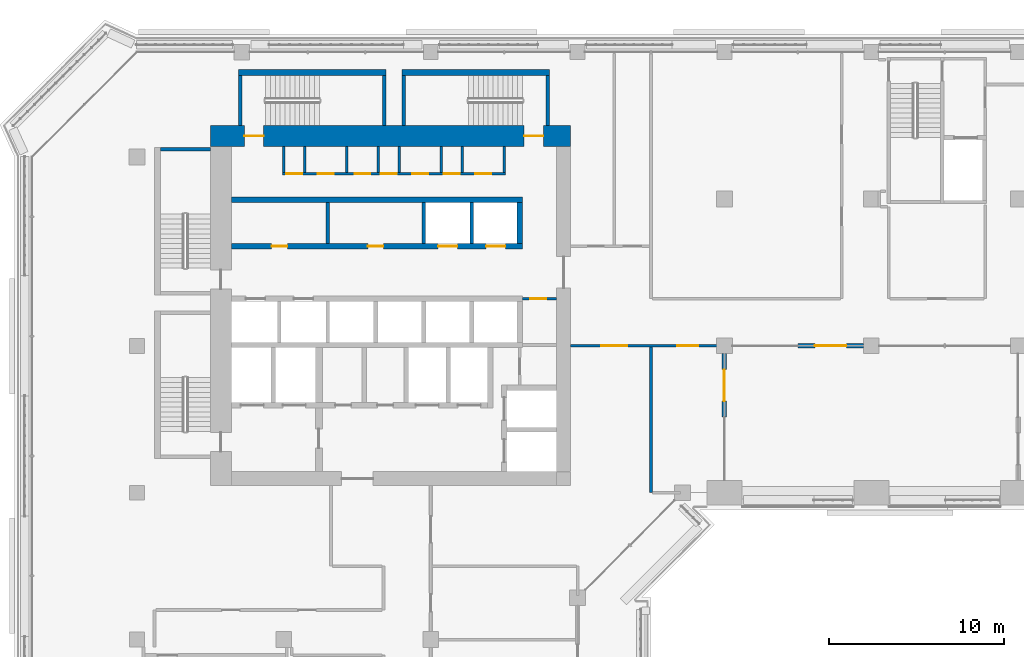
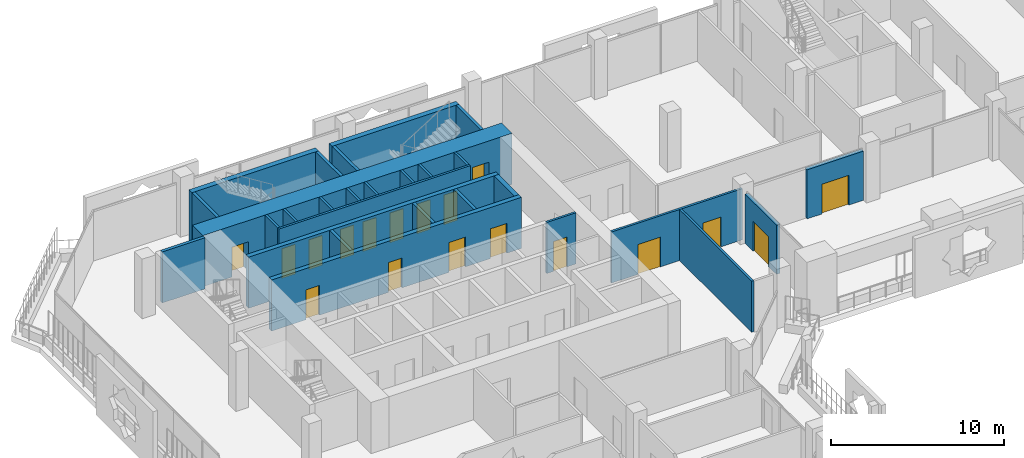
# One storey, part 14 of 24: 28 walls, 18 doors, 18 openings.
"""IFC4 building model written with IfcOpenShell, lengths in metres."""

from ifc_helpers import new_model, si_unit, direction, frame, frame_2d, origin, place, context, subcontext, project, spatial, rectangle, extrude, material, layer, layer_set, type_object, element, fill, save


model = new_model("IFC4")

# Units and contexts
model_context = context("Model", 3, precision=1e-05, world=origin(), true_north=direction((0.0, 1.0)))
body_context = subcontext(model_context, "Body", "Model", "MODEL_VIEW")
ifc_project = project(units=[si_unit("LENGTHUNIT", "METRE"), si_unit("AREAUNIT", "SQUARE_METRE"), si_unit("VOLUMEUNIT", "CUBIC_METRE"), si_unit("PLANEANGLEUNIT", "RADIAN"), si_unit("MASSUNIT", "GRAM", prefix="KILO")], contexts=[model_context])

# Site, building, storey
site_placement = place(None, origin())
site = spatial("IfcSite", under=ifc_project, at=site_placement, CompositionType="ELEMENT")
building_placement = place(site_placement, origin())
building = spatial("IfcBuilding", under=site, at=building_placement, Name="Kawkab Arch Medical Tower", CompositionType="ELEMENT")
storey_placement = place(building_placement, frame((0.0, 0.0, 218.0)))
storey = spatial("IfcBuildingStorey", under=building, at=storey_placement, Name="L50", CompositionType="ELEMENT", Elevation=218.0)

# Wall, openings, doors
ifc_material_1 = material(Name="Concrete C50/60", Category="concrete")
ifc_layer_1 = layer(ifc_material_1, 1.199951171875)
ifc_layer_set_1 = layer_set([ifc_layer_1], Name="Concrete C50/60")
wall_type_1 = type_object("IfcWallType", Name="Core ring wall 1200 C50/60", PredefinedType="SHEAR", material=ifc_layer_set_1)
wall_1_placement = place(storey_placement, frame((4.199951171875, -4.800048828125, 0.0), z_axis=(0.0, 0.0, 1.0), x_axis=(1.0, 0.0, 0.0)))
wall_1 = element("IfcWall", 1, at=wall_1_placement, inside=storey, type_object=wall_type_1, Name="L50 core wall", PredefinedType="SHEAR", context=body_context, shape_type="SweptSolid", body=[
    extrude(rectangle(XDim=20.60009765625, YDim=1.199951171875, at=frame_2d((10.300048828125, 0.0))), origin(), (0.0, 0.0, 1.0), 3.60009765625),
])
opening_1_placement = place(wall_1_placement, frame((1.949951171875, 0.0, 0.0)))
opening_1 = element("IfcOpeningElement", 2, at=opening_1_placement, cuts=wall_1, Name="Opening SD", PredefinedType="OPENING", context=body_context, shape_type="SweptSolid", body=[
    extrude(rectangle(XDim=1.10009765625, YDim=2.10009765625, at=frame_2d((0.550048828125, 1.050048828125))), frame((0.0, 0.60986328125, 0.0), z_axis=(0.0, -1.0, 0.0), x_axis=(1.0, 0.0, 0.0)), (0.0, 0.0, 1.0), 1.219970703125),
])
opening_2_placement = place(wall_1_placement, frame((17.949951171875, 0.0, 0.0)))
opening_2 = element("IfcOpeningElement", 3, at=opening_2_placement, cuts=wall_1, Name="Opening SD", PredefinedType="OPENING", context=body_context, shape_type="SweptSolid", body=[
    extrude(rectangle(XDim=1.10009765625, YDim=2.10009765625, at=frame_2d((0.550048828125, 1.050048828125))), frame((0.0, 0.60986328125, 0.0), z_axis=(0.0, -1.0, 0.0), x_axis=(1.0, 0.0, 0.0)), (0.0, 0.0, 1.0), 1.219970703125),
])
ifc_material_2 = material(Name="Hollow metal fire door leaf")
door_type_1 = type_object("IfcDoorType", Name="Exit stair door 1100", OperationType="SINGLE_SWING_LEFT", PredefinedType="DOOR", material=ifc_material_2)
door_1_placement = place(opening_1_placement, origin())
door_1 = element("IfcDoor", 4, at=door_1_placement, inside=storey, type_object=door_type_1, Name="L50 Exit stair ST3 door", OperationType="SINGLE_SWING_LEFT", OverallHeight=2.10009765625, OverallWidth=1.10009765625, PredefinedType="DOOR", context=body_context, shape_type="SweptSolid", body=[
    extrude(rectangle(XDim=1.10009765625, YDim=2.10009765625, at=frame_2d((0.550048828125, 1.050048828125))), frame((0.0, 0.02490234375, 0.0), z_axis=(0.0, -1.0, 0.0), x_axis=(1.0, 0.0, 0.0)), (0.0, 0.0, 1.0), 0.050048828125),
])
fill(opening_1, door_1)
door_2_placement = place(opening_2_placement, origin())
door_2 = element("IfcDoor", 5, at=door_2_placement, inside=storey, type_object=door_type_1, Name="L50 Exit stair ST4 door", OperationType="SINGLE_SWING_LEFT", OverallHeight=2.10009765625, OverallWidth=1.10009765625, PredefinedType="DOOR", context=body_context, shape_type="SweptSolid", body=[
    extrude(rectangle(XDim=1.10009765625, YDim=2.10009765625, at=frame_2d((0.550048828125, 1.050048828125))), frame((0.0, 0.02490234375, 0.0), z_axis=(0.0, -1.0, 0.0), x_axis=(1.0, 0.0, 0.0)), (0.0, 0.0, 1.0), 0.050048828125),
])
fill(opening_2, door_2)

# Wall, opening, door
ifc_material_3 = material(Name="Gypsum board on steel studs", Category="steel")
ifc_layer_2 = layer(ifc_material_3, 0.14990234375)
ifc_layer_set_2 = layer_set([ifc_layer_2], Name="Gypsum board on steel studs")
wall_type_2 = type_object("IfcWallType", Name="Core room partition 150", PredefinedType="PARTITIONING", material=ifc_layer_set_2)
wall_2_placement = place(storey_placement, frame((22.050048828125, -14.10009765625, 0.0), z_axis=(0.0, 0.0, 1.0), x_axis=(1.0, 0.0, 0.0)))
wall_2 = element("IfcWall", 6, at=wall_2_placement, inside=storey, type_object=wall_type_2, Name="L50 core room partition", PredefinedType="PARTITIONING", context=body_context, shape_type="SweptSolid", body=[
    extrude(rectangle(XDim=1.949951171875, YDim=0.14990234375, at=frame_2d((0.97509765625, 0.0))), origin(), (0.0, 0.0, 1.0), 3.60009765625),
])
opening_3_placement = place(wall_2_placement, frame((0.449951171875, 0.0, 0.0)))
opening_3 = element("IfcOpeningElement", 7, at=opening_3_placement, cuts=wall_2, Name="Opening RD", PredefinedType="OPENING", context=body_context, shape_type="SweptSolid", body=[
    extrude(rectangle(XDim=0.89990234375, YDim=2.10009765625, at=frame_2d((0.449951171875, 1.050048828125))), frame((0.0, 0.0849609375, 0.0), z_axis=(0.0, -1.0, 0.0), x_axis=(1.0, 0.0, 0.0)), (0.0, 0.0, 1.0), 0.169921875),
])
ifc_material_4 = material(Name="Hollow metal fire door leaf")
door_type_2 = type_object("IfcDoorType", Name="Core room door 900", OperationType="SINGLE_SWING_LEFT", PredefinedType="DOOR", material=ifc_material_4)
door_3_placement = place(opening_3_placement, origin())
door_3 = element("IfcDoor", 8, at=door_3_placement, inside=storey, type_object=door_type_2, Name="L50 Linen store door", OperationType="SINGLE_SWING_LEFT", OverallHeight=2.10009765625, OverallWidth=0.89990234375, PredefinedType="DOOR", context=body_context, shape_type="SweptSolid", body=[
    extrude(rectangle(XDim=0.89990234375, YDim=2.10009765625, at=frame_2d((0.449951171875, 1.050048828125))), frame((0.0, 0.02490234375, 0.0), z_axis=(0.0, -1.0, 0.0), x_axis=(1.0, 0.0, 0.0)), (0.0, 0.0, 1.0), 0.050048828125),
])
fill(opening_3, door_3)

# Wall, openings, doors
wall_3_placement = place(storey_placement, frame((8.324951171875, -6.949951171875, 0.0), z_axis=(0.0, 0.0, 1.0), x_axis=(1.0, 0.0, 0.0)))
wall_3 = element("IfcWall", 9, at=wall_3_placement, inside=storey, type_object=wall_type_2, Name="L50 core room partition", PredefinedType="PARTITIONING", context=body_context, shape_type="SweptSolid", body=[
    extrude(rectangle(XDim=12.75, YDim=0.14990234375, at=frame_2d((6.375, 0.0))), origin(), (0.0, 0.0, 1.0), 3.60009765625),
])
opening_4_placement = place(wall_3_placement, frame((0.22509765625, 0.0, 0.0)))
opening_4 = element("IfcOpeningElement", 10, at=opening_4_placement, cuts=wall_3, Name="Opening RD", PredefinedType="OPENING", context=body_context, shape_type="SweptSolid", body=[
    extrude(rectangle(XDim=0.89990234375, YDim=2.10009765625, at=frame_2d((0.449951171875, 1.050048828125))), frame((0.0, 0.0849609375, 0.0), z_axis=(0.0, -1.0, 0.0), x_axis=(1.0, 0.0, 0.0)), (0.0, 0.0, 1.0), 0.169921875),
])
opening_5_placement = place(wall_3_placement, frame((2.02490234375, 0.0, 0.0)))
opening_5 = element("IfcOpeningElement", 11, at=opening_5_placement, cuts=wall_3, Name="Opening RD", PredefinedType="OPENING", context=body_context, shape_type="SweptSolid", body=[
    extrude(rectangle(XDim=0.89990234375, YDim=2.10009765625, at=frame_2d((0.449951171875, 1.050048828125))), frame((0.0, 0.0849609375, 0.0), z_axis=(0.0, -1.0, 0.0), x_axis=(1.0, 0.0, 0.0)), (0.0, 0.0, 1.0), 0.169921875),
])
opening_6_placement = place(wall_3_placement, frame((4.125, 0.0, 0.0)))
opening_6 = element("IfcOpeningElement", 12, at=opening_6_placement, cuts=wall_3, Name="Opening RD", PredefinedType="OPENING", context=body_context, shape_type="SweptSolid", body=[
    extrude(rectangle(XDim=0.89990234375, YDim=2.10009765625, at=frame_2d((0.449951171875, 1.050048828125))), frame((0.0, 0.0849609375, 0.0), z_axis=(0.0, -1.0, 0.0), x_axis=(1.0, 0.0, 0.0)), (0.0, 0.0, 1.0), 0.169921875),
])
opening_7_placement = place(wall_3_placement, frame((5.625, 0.0, 0.0)))
opening_7 = element("IfcOpeningElement", 13, at=opening_7_placement, cuts=wall_3, Name="Opening RD", PredefinedType="OPENING", context=body_context, shape_type="SweptSolid", body=[
    extrude(rectangle(XDim=0.89990234375, YDim=2.10009765625, at=frame_2d((0.449951171875, 1.050048828125))), frame((0.0, 0.0849609375, 0.0), z_axis=(0.0, -1.0, 0.0), x_axis=(1.0, 0.0, 0.0)), (0.0, 0.0, 1.0), 0.169921875),
])
opening_8_placement = place(wall_3_placement, frame((7.425048828125, 0.0, 0.0)))
opening_8 = element("IfcOpeningElement", 14, at=opening_8_placement, cuts=wall_3, Name="Opening RD", PredefinedType="OPENING", context=body_context, shape_type="SweptSolid", body=[
    extrude(rectangle(XDim=0.89990234375, YDim=2.10009765625, at=frame_2d((0.449951171875, 1.050048828125))), frame((0.0, 0.0849609375, 0.0), z_axis=(0.0, -1.0, 0.0), x_axis=(1.0, 0.0, 0.0)), (0.0, 0.0, 1.0), 0.169921875),
])
opening_9_placement = place(wall_3_placement, frame((9.22509765625, 0.0, 0.0)))
opening_9 = element("IfcOpeningElement", 15, at=opening_9_placement, cuts=wall_3, Name="Opening RD", PredefinedType="OPENING", context=body_context, shape_type="SweptSolid", body=[
    extrude(rectangle(XDim=0.89990234375, YDim=2.10009765625, at=frame_2d((0.449951171875, 1.050048828125))), frame((0.0, 0.0849609375, 0.0), z_axis=(0.0, -1.0, 0.0), x_axis=(1.0, 0.0, 0.0)), (0.0, 0.0, 1.0), 0.169921875),
])
opening_10_placement = place(wall_3_placement, frame((11.02490234375, 0.0, 0.0)))
opening_10 = element("IfcOpeningElement", 16, at=opening_10_placement, cuts=wall_3, Name="Opening RD", PredefinedType="OPENING", context=body_context, shape_type="SweptSolid", body=[
    extrude(rectangle(XDim=0.89990234375, YDim=2.10009765625, at=frame_2d((0.449951171875, 1.050048828125))), frame((0.0, 0.0849609375, 0.0), z_axis=(0.0, -1.0, 0.0), x_axis=(1.0, 0.0, 0.0)), (0.0, 0.0, 1.0), 0.169921875),
])
door_4_placement = place(opening_4_placement, origin())
door_4 = element("IfcDoor", 17, at=door_4_placement, inside=storey, type_object=door_type_2, Name="L50 Electrical riser room door", OperationType="SINGLE_SWING_LEFT", OverallHeight=2.10009765625, OverallWidth=0.89990234375, PredefinedType="DOOR", context=body_context, shape_type="SweptSolid", body=[
    extrude(rectangle(XDim=0.89990234375, YDim=2.10009765625, at=frame_2d((0.449951171875, 1.050048828125))), frame((0.0, 0.02490234375, 0.0), z_axis=(0.0, -1.0, 0.0), x_axis=(1.0, 0.0, 0.0)), (0.0, 0.0, 1.0), 0.050048828125),
])
fill(opening_4, door_4)
door_5_placement = place(opening_5_placement, origin())
door_5 = element("IfcDoor", 18, at=door_5_placement, inside=storey, type_object=door_type_2, Name="L50 Comms room door", OperationType="SINGLE_SWING_LEFT", OverallHeight=2.10009765625, OverallWidth=0.89990234375, PredefinedType="DOOR", context=body_context, shape_type="SweptSolid", body=[
    extrude(rectangle(XDim=0.89990234375, YDim=2.10009765625, at=frame_2d((0.449951171875, 1.050048828125))), frame((0.0, 0.02490234375, 0.0), z_axis=(0.0, -1.0, 0.0), x_axis=(1.0, 0.0, 0.0)), (0.0, 0.0, 1.0), 0.050048828125),
])
fill(opening_5, door_5)
door_6_placement = place(opening_6_placement, origin())
door_6 = element("IfcDoor", 19, at=door_6_placement, inside=storey, type_object=door_type_2, Name="L50 Medical gas plant room door", OperationType="SINGLE_SWING_LEFT", OverallHeight=2.10009765625, OverallWidth=0.89990234375, PredefinedType="DOOR", context=body_context, shape_type="SweptSolid", body=[
    extrude(rectangle(XDim=0.89990234375, YDim=2.10009765625, at=frame_2d((0.449951171875, 1.050048828125))), frame((0.0, 0.02490234375, 0.0), z_axis=(0.0, -1.0, 0.0), x_axis=(1.0, 0.0, 0.0)), (0.0, 0.0, 1.0), 0.050048828125),
])
fill(opening_6, door_6)
door_7_placement = place(opening_7_placement, origin())
door_7 = element("IfcDoor", 20, at=door_7_placement, inside=storey, type_object=door_type_2, Name="L50 Sprinkler valve room door", OperationType="SINGLE_SWING_LEFT", OverallHeight=2.10009765625, OverallWidth=0.89990234375, PredefinedType="DOOR", context=body_context, shape_type="SweptSolid", body=[
    extrude(rectangle(XDim=0.89990234375, YDim=2.10009765625, at=frame_2d((0.449951171875, 1.050048828125))), frame((0.0, 0.02490234375, 0.0), z_axis=(0.0, -1.0, 0.0), x_axis=(1.0, 0.0, 0.0)), (0.0, 0.0, 1.0), 0.050048828125),
])
fill(opening_7, door_7)
door_8_placement = place(opening_8_placement, origin())
door_8 = element("IfcDoor", 21, at=door_8_placement, inside=storey, type_object=door_type_2, Name="L50 Housekeeping store door", OperationType="SINGLE_SWING_LEFT", OverallHeight=2.10009765625, OverallWidth=0.89990234375, PredefinedType="DOOR", context=body_context, shape_type="SweptSolid", body=[
    extrude(rectangle(XDim=0.89990234375, YDim=2.10009765625, at=frame_2d((0.449951171875, 1.050048828125))), frame((0.0, 0.02490234375, 0.0), z_axis=(0.0, -1.0, 0.0), x_axis=(1.0, 0.0, 0.0)), (0.0, 0.0, 1.0), 0.050048828125),
])
fill(opening_8, door_8)
door_9_placement = place(opening_9_placement, origin())
door_9 = element("IfcDoor", 22, at=door_9_placement, inside=storey, type_object=door_type_2, Name="L50 Electrical riser room door", OperationType="SINGLE_SWING_LEFT", OverallHeight=2.10009765625, OverallWidth=0.89990234375, PredefinedType="DOOR", context=body_context, shape_type="SweptSolid", body=[
    extrude(rectangle(XDim=0.89990234375, YDim=2.10009765625, at=frame_2d((0.449951171875, 1.050048828125))), frame((0.0, 0.02490234375, 0.0), z_axis=(0.0, -1.0, 0.0), x_axis=(1.0, 0.0, 0.0)), (0.0, 0.0, 1.0), 0.050048828125),
])
fill(opening_9, door_9)
door_10_placement = place(opening_10_placement, origin())
door_10 = element("IfcDoor", 23, at=door_10_placement, inside=storey, type_object=door_type_2, Name="L50 General store door", OperationType="SINGLE_SWING_LEFT", OverallHeight=2.10009765625, OverallWidth=0.89990234375, PredefinedType="DOOR", context=body_context, shape_type="SweptSolid", body=[
    extrude(rectangle(XDim=0.89990234375, YDim=2.10009765625, at=frame_2d((0.449951171875, 1.050048828125))), frame((0.0, 0.02490234375, 0.0), z_axis=(0.0, -1.0, 0.0), x_axis=(1.0, 0.0, 0.0)), (0.0, 0.0, 1.0), 0.050048828125),
])
fill(opening_10, door_10)

# Walls
for number, where, z_axis, x_axis, name in (
    (24, (8.39990234375, -6.875, 0.0), (0.0, 0.0, 1.0), (0.0, 1.0, 0.0), "L50 core room partition"),
    (25, (9.60009765625, -6.875, 0.0), (0.0, 0.0, 1.0), (0.0, 1.0, 0.0), "L50 core room partition"),
    (26, (12.0, -6.875, 0.0), (0.0, 0.0, 1.0), (0.0, 1.0, 0.0), "L50 core room partition"),
    (27, (13.800048828125, -6.875, 0.0), (0.0, 0.0, 1.0), (0.0, 1.0, 0.0), "L50 core room partition"),
    (28, (15.0, -6.875, 0.0), (0.0, 0.0, 1.0), (0.0, 1.0, 0.0), "L50 core room partition"),
    (29, (17.39990234375, -6.875, 0.0), (0.0, 0.0, 1.0), (0.0, 1.0, 0.0), "L50 core room partition"),
    (30, (18.60009765625, -6.875, 0.0), (0.0, 0.0, 1.0), (0.0, 1.0, 0.0), "L50 core room partition"),
    (31, (21.0, -6.875, 0.0), (0.0, 0.0, 1.0), (0.0, 1.0, 0.0), "L50 core room partition"),
):
    element("IfcWall", number, at=place(storey_placement, frame(where, z_axis=z_axis, x_axis=x_axis)), inside=storey, type_object=wall_type_2, Name=name, PredefinedType="PARTITIONING", context=body_context, shape_type="SweptSolid", body=[
        extrude(rectangle(XDim=1.47509765625, YDim=0.14990234375, at=frame_2d((0.737548828125, 0.0))), origin(), (0.0, 0.0, 1.0), 3.60009765625),
    ])
ifc_material_5 = material(Name="Concrete C60/75", Category="concrete")
ifc_layer_3 = layer(ifc_material_5, 0.300048828125)
ifc_layer_set_3 = layer_set([ifc_layer_3], Name="Concrete C60/75")
wall_type_3 = type_object("IfcWallType", Name="Core shear wall 300 C60/75", PredefinedType="SHEAR", material=ifc_layer_set_3)
wall_4_placement = place(storey_placement, frame((5.39990234375, -8.449951171875, 0.0), z_axis=(0.0, 0.0, 1.0), x_axis=(1.0, 0.0, 0.0)))
element("IfcWall", 32, at=wall_4_placement, inside=storey, type_object=wall_type_3, Name="L50 core shear wall", PredefinedType="SHEAR", context=body_context, shape_type="SweptSolid", body=[
    extrude(rectangle(XDim=16.650146484375, YDim=0.300048828125, at=frame_2d((8.3251953125, 0.0))), origin(), (0.0, 0.0, 1.0), 3.60009765625),
])

# Wall, openings, doors
wall_5_placement = place(storey_placement, frame((5.39990234375, -11.10009765625, 0.0), z_axis=(0.0, 0.0, 1.0), x_axis=(1.0, 0.0, 0.0)))
wall_5 = element("IfcWall", 33, at=wall_5_placement, inside=storey, type_object=wall_type_3, Name="L50 core shear wall", PredefinedType="SHEAR", context=body_context, shape_type="SweptSolid", body=[
    extrude(rectangle(XDim=16.650146484375, YDim=0.300048828125, at=frame_2d((8.3251953125, 0.0))), origin(), (0.0, 0.0, 1.0), 3.60009765625),
])
opening_11_placement = place(wall_5_placement, frame((11.824951171875, 0.0, 0.0)))
opening_11 = element("IfcOpeningElement", 34, at=opening_11_placement, cuts=wall_5, Name="Opening LD1", PredefinedType="OPENING", context=body_context, shape_type="SweptSolid", body=[
    extrude(rectangle(XDim=1.10009765625, YDim=2.10009765625, at=frame_2d((0.550048828125, 1.050048828125))), frame((0.0, 0.159912109375, 0.0), z_axis=(0.0, -1.0, 0.0), x_axis=(1.0, 0.0, 0.0)), (0.0, 0.0, 1.0), 0.320068359375),
])
opening_12_placement = place(wall_5_placement, frame((14.574951171875, 0.0, 0.0)))
opening_12 = element("IfcOpeningElement", 35, at=opening_12_placement, cuts=wall_5, Name="Opening LD1", PredefinedType="OPENING", context=body_context, shape_type="SweptSolid", body=[
    extrude(rectangle(XDim=1.10009765625, YDim=2.10009765625, at=frame_2d((0.550048828125, 1.050048828125))), frame((0.0, 0.159912109375, 0.0), z_axis=(0.0, -1.0, 0.0), x_axis=(1.0, 0.0, 0.0)), (0.0, 0.0, 1.0), 0.320068359375),
])
opening_13_placement = place(wall_5_placement, frame((2.300048828125, 0.0, 0.0)))
opening_13 = element("IfcOpeningElement", 36, at=opening_13_placement, cuts=wall_5, Name="Opening RD", PredefinedType="OPENING", context=body_context, shape_type="SweptSolid", body=[
    extrude(rectangle(XDim=0.89990234375, YDim=2.10009765625, at=frame_2d((0.449951171875, 1.050048828125))), frame((0.0, 0.159912109375, 0.0), z_axis=(0.0, -1.0, 0.0), x_axis=(1.0, 0.0, 0.0)), (0.0, 0.0, 1.0), 0.320068359375),
])
opening_14_placement = place(wall_5_placement, frame((7.800048828125, 0.0, 0.0)))
opening_14 = element("IfcOpeningElement", 37, at=opening_14_placement, cuts=wall_5, Name="Opening RD", PredefinedType="OPENING", context=body_context, shape_type="SweptSolid", body=[
    extrude(rectangle(XDim=0.89990234375, YDim=2.10009765625, at=frame_2d((0.449951171875, 1.050048828125))), frame((0.0, 0.159912109375, 0.0), z_axis=(0.0, -1.0, 0.0), x_axis=(1.0, 0.0, 0.0)), (0.0, 0.0, 1.0), 0.320068359375),
])
door_11_placement = place(opening_13_placement, origin())
door_11 = element("IfcDoor", 38, at=door_11_placement, inside=storey, type_object=door_type_2, Name="L50 Ward pantry door", OperationType="SINGLE_SWING_LEFT", OverallHeight=2.10009765625, OverallWidth=0.89990234375, PredefinedType="DOOR", context=body_context, shape_type="SweptSolid", body=[
    extrude(rectangle(XDim=0.89990234375, YDim=2.10009765625, at=frame_2d((0.449951171875, 1.050048828125))), frame((0.0, 0.02490234375, 0.0), z_axis=(0.0, -1.0, 0.0), x_axis=(1.0, 0.0, 0.0)), (0.0, 0.0, 1.0), 0.050048828125),
])
fill(opening_13, door_11)
door_12_placement = place(opening_14_placement, origin())
door_12 = element("IfcDoor", 39, at=door_12_placement, inside=storey, type_object=door_type_2, Name="L50 Comms room door", OperationType="SINGLE_SWING_LEFT", OverallHeight=2.10009765625, OverallWidth=0.89990234375, PredefinedType="DOOR", context=body_context, shape_type="SweptSolid", body=[
    extrude(rectangle(XDim=0.89990234375, YDim=2.10009765625, at=frame_2d((0.449951171875, 1.050048828125))), frame((0.0, 0.02490234375, 0.0), z_axis=(0.0, -1.0, 0.0), x_axis=(1.0, 0.0, 0.0)), (0.0, 0.0, 1.0), 0.050048828125),
])
fill(opening_14, door_12)
ifc_material_6 = material(Name="Stainless steel lift door leaf", Category="steel")
door_type_3 = type_object("IfcDoorType", Name="Lift landing door 1100", OperationType="DOUBLE_DOOR_SLIDING", PredefinedType="DOOR", material=ifc_material_6)
door_13_placement = place(opening_11_placement, origin())
door_13 = element("IfcDoor", 40, at=door_13_placement, inside=storey, type_object=door_type_3, Name="L50 Lift landing door MP1", OperationType="DOUBLE_DOOR_SLIDING", OverallHeight=2.10009765625, OverallWidth=1.10009765625, PredefinedType="DOOR", context=body_context, shape_type="SweptSolid", body=[
    extrude(rectangle(XDim=1.10009765625, YDim=2.10009765625, at=frame_2d((0.550048828125, 1.050048828125))), frame((0.0, 0.02490234375, 0.0), z_axis=(0.0, -1.0, 0.0), x_axis=(1.0, 0.0, 0.0)), (0.0, 0.0, 1.0), 0.050048828125),
])
fill(opening_11, door_13)
door_14_placement = place(opening_12_placement, origin())
door_14 = element("IfcDoor", 41, at=door_14_placement, inside=storey, type_object=door_type_3, Name="L50 Lift landing door MP2", OperationType="DOUBLE_DOOR_SLIDING", OverallHeight=2.10009765625, OverallWidth=1.10009765625, PredefinedType="DOOR", context=body_context, shape_type="SweptSolid", body=[
    extrude(rectangle(XDim=1.10009765625, YDim=2.10009765625, at=frame_2d((0.550048828125, 1.050048828125))), frame((0.0, 0.02490234375, 0.0), z_axis=(0.0, -1.0, 0.0), x_axis=(1.0, 0.0, 0.0)), (0.0, 0.0, 1.0), 0.050048828125),
])
fill(opening_12, door_14)

# Wall
wall_6_placement = place(storey_placement, frame((21.89990234375, -10.949951171875, 0.0), z_axis=(0.0, 0.0, 1.0), x_axis=(0.0, 1.0, 0.0)))
element("IfcWall", 42, at=wall_6_placement, inside=storey, type_object=wall_type_3, Name="L50 core shear wall", PredefinedType="SHEAR", context=body_context, shape_type="SweptSolid", body=[
    extrude(rectangle(XDim=2.349853515625, YDim=0.300048828125, at=frame_2d((1.1748046875, 0.0))), origin(), (0.0, 0.0, 1.0), 3.60009765625),
])

# Wall, opening, door
ifc_material_7 = material(Name="Bronze clad insulated wall panel")
ifc_layer_4 = layer(ifc_material_7, 0.25)
ifc_layer_set_4 = layer_set([ifc_layer_4], Name="Bronze clad insulated wall panel")
wall_type_4 = type_object("IfcWallType", Name="External wall bay 250", PredefinedType="SOLIDWALL", material=ifc_layer_set_4)
wall_7_placement = place(storey_placement, frame((33.60009765625, -20.875, 0.0), z_axis=(0.0, 0.0, 1.0), x_axis=(0.0, 1.0, 0.0)))
wall_7 = element("IfcWall", 43, at=wall_7_placement, inside=storey, type_object=wall_type_4, Name="External wall bay L50.R02.1.2", PredefinedType="SOLIDWALL", context=body_context, shape_type="SweptSolid", body=[
    extrude(rectangle(XDim=3.625, YDim=0.25, at=frame_2d((1.8125, 0.0))), origin(), (0.0, 0.0, 1.0), 3.4599609375),
])
opening_15_placement = place(wall_7_placement, frame((0.91259765625, 0.0, 0.0)))
opening_15 = element("IfcOpeningElement", 44, at=opening_15_placement, cuts=wall_7, Name="Opening B50-701", PredefinedType="OPENING", context=body_context, shape_type="SweptSolid", body=[
    extrude(rectangle(XDim=1.800048828125, YDim=2.10009765625, at=frame_2d((0.89990234375, 1.050048828125))), frame((0.0, 0.135009765625, 0.0), z_axis=(0.0, -1.0, 0.0), x_axis=(1.0, 0.0, 0.0)), (0.0, 0.0, 1.0), 0.27001953125),
])
ifc_material_8 = material(Name="Bronze anodised aluminium door with tinted glass", Category="aluminium")
door_type_4 = type_object("IfcDoorType", Name="Double external door 1800 x 2100", OperationType="DOUBLE_DOOR_SINGLE_SWING", PredefinedType="DOOR", material=ifc_material_8)
door_15_placement = place(opening_15_placement, origin())
door_15 = element("IfcDoor", 45, at=door_15_placement, inside=storey, type_object=door_type_4, Name="External door L50.R02.1.2", OperationType="DOUBLE_DOOR_SINGLE_SWING", OverallHeight=2.10009765625, OverallWidth=1.800048828125, PredefinedType="DOOR", context=body_context, shape_type="SweptSolid", body=[
    extrude(rectangle(XDim=1.800048828125, YDim=2.10009765625, at=frame_2d((0.89990234375, 1.050048828125))), frame((0.0, 0.02490234375, 0.0), z_axis=(0.0, -1.0, 0.0), x_axis=(1.0, 0.0, 0.0)), (0.0, 0.0, 1.0), 0.050048828125),
])
fill(opening_15, door_15)

wall_8_placement = place(storey_placement, frame((37.800048828125, -16.800048828125, 0.0), z_axis=(0.0, 0.0, 1.0), x_axis=(1.0, 0.0, 0.0)))
wall_8 = element("IfcWall", 46, at=wall_8_placement, inside=storey, type_object=wall_type_4, Name="External wall bay L50.R03.1.2", PredefinedType="SOLIDWALL", context=body_context, shape_type="SweptSolid", body=[
    extrude(rectangle(XDim=3.75, YDim=0.25, at=frame_2d((1.875, 0.0))), origin(), (0.0, 0.0, 1.0), 3.4599609375),
])
opening_16_placement = place(wall_8_placement, frame((0.97509765625, 0.0, 0.0)))
opening_16 = element("IfcOpeningElement", 47, at=opening_16_placement, cuts=wall_8, Name="Opening B50-701", PredefinedType="OPENING", context=body_context, shape_type="SweptSolid", body=[
    extrude(rectangle(XDim=1.800048828125, YDim=2.10009765625, at=frame_2d((0.89990234375, 1.050048828125))), frame((0.0, 0.135009765625, 0.0), z_axis=(0.0, -1.0, 0.0), x_axis=(1.0, 0.0, 0.0)), (0.0, 0.0, 1.0), 0.27001953125),
])
door_16_placement = place(opening_16_placement, origin())
door_16 = element("IfcDoor", 48, at=door_16_placement, inside=storey, type_object=door_type_4, Name="External door L50.R03.1.2", OperationType="DOUBLE_DOOR_SINGLE_SWING", OverallHeight=2.10009765625, OverallWidth=1.800048828125, PredefinedType="DOOR", context=body_context, shape_type="SweptSolid", body=[
    extrude(rectangle(XDim=1.800048828125, YDim=2.10009765625, at=frame_2d((0.89990234375, 1.050048828125))), frame((0.0, 0.02490234375, 0.0), z_axis=(0.0, -1.0, 0.0), x_axis=(1.0, 0.0, 0.0)), (0.0, 0.0, 1.0), 0.050048828125),
])
fill(opening_16, door_16)

# Walls
ifc_material_9 = material(Name="Dense concrete blockwork", Category="masonry")
ifc_layer_5 = layer(ifc_material_9, 0.199951171875)
ifc_layer_set_5 = layer_set([ifc_layer_5], Name="Dense concrete blockwork")
wall_type_5 = type_object("IfcWallType", Name="Lift shaft partition 200", PredefinedType="PARTITIONING", material=ifc_layer_set_5)
for number, where, z_axis, x_axis, name in (
    (49, (10.89990234375, -10.949951171875, 0.0), (0.0, 0.0, 1.0), (0.0, 1.0, 0.0), "L50 lift shaft partition"),
    (50, (16.39990234375, -10.949951171875, 0.0), (0.0, 0.0, 1.0), (0.0, 1.0, 0.0), "L50 lift shaft partition"),
    (51, (19.14990234375, -10.949951171875, 0.0), (0.0, 0.0, 1.0), (0.0, 1.0, 0.0), "L50 lift shaft partition"),
):
    element("IfcWall", number, at=place(storey_placement, frame(where, z_axis=z_axis, x_axis=x_axis)), inside=storey, type_object=wall_type_5, Name=name, PredefinedType="PARTITIONING", context=body_context, shape_type="SweptSolid", body=[
        extrude(rectangle(XDim=2.349853515625, YDim=0.199951171875, at=frame_2d((1.1748046875, 0.0))), origin(), (0.0, 0.0, 1.0), 3.60009765625),
    ])

# Wall, openings, doors
ifc_material_10 = material(Name="Gypsum board partition on steel studs, mineral wool", Category="steel")
ifc_layer_6 = layer(ifc_material_10, 0.14990234375)
ifc_layer_set_6 = layer_set([ifc_layer_6], Name="Gypsum board partition on steel studs, mineral wool")
wall_type_6 = type_object("IfcWallType", Name="Partition 150", PredefinedType="PARTITIONING", material=ifc_layer_set_6)
wall_9_placement = place(storey_placement, frame((24.800048828125, -16.800048828125, 0.0), z_axis=(0.0, 0.0, 1.0), x_axis=(1.0, 0.0, 0.0)))
wall_9 = element("IfcWall", 52, at=wall_9_placement, inside=storey, type_object=wall_type_6, Name="Partition 150 w010", PredefinedType="PARTITIONING", context=body_context, shape_type="SweptSolid", body=[
    extrude(rectangle(XDim=8.719970703125, YDim=0.14990234375, at=frame_2d((4.35986328125, 0.0))), origin(), (0.0, 0.0, 1.0), 3.60009765625),
])
opening_17_placement = place(wall_9_placement, frame((1.75, 0.0, 0.0)))
opening_17 = element("IfcOpeningElement", 53, at=opening_17_placement, cuts=wall_9, Name="Opening B50-001", PredefinedType="OPENING", context=body_context, shape_type="SweptSolid", body=[
    extrude(rectangle(XDim=1.5, YDim=2.10009765625, at=frame_2d((0.75, 1.050048828125))), frame((0.0, 0.0849609375, 0.0), z_axis=(0.0, -1.0, 0.0), x_axis=(1.0, 0.0, 0.0)), (0.0, 0.0, 1.0), 0.169921875),
])
opening_18_placement = place(wall_9_placement, frame((6.10009765625, 0.0, 0.0)))
opening_18 = element("IfcOpeningElement", 54, at=opening_18_placement, cuts=wall_9, Name="Opening B50-021", PredefinedType="OPENING", context=body_context, shape_type="SweptSolid", body=[
    extrude(rectangle(XDim=1.199951171875, YDim=2.10009765625, at=frame_2d((0.60009765625, 1.050048828125))), frame((0.0, 0.0849609375, 0.0), z_axis=(0.0, -1.0, 0.0), x_axis=(1.0, 0.0, 0.0)), (0.0, 0.0, 1.0), 0.169921875),
])
ifc_material_11 = material(Name="Hollow metal door leaf")
door_type_5 = type_object("IfcDoorType", Name="Double door 1500x2100 FD30S", OperationType="NOTDEFINED", PredefinedType="DOOR", material=ifc_material_11)
door_17_placement = place(opening_17_placement, origin())
door_17 = element("IfcDoor", 55, at=door_17_placement, inside=storey, type_object=door_type_5, Name="Door B50-001", OperationType="DOUBLE_DOOR_SINGLE_SWING", OverallHeight=2.10009765625, OverallWidth=1.5, PredefinedType="DOOR", context=body_context, shape_type="SweptSolid", body=[
    extrude(rectangle(XDim=1.5, YDim=2.10009765625, at=frame_2d((0.75, 1.050048828125))), frame((0.0, 0.02490234375, 0.0), z_axis=(0.0, -1.0, 0.0), x_axis=(1.0, 0.0, 0.0)), (0.0, 0.0, 1.0), 0.050048828125),
])
fill(opening_17, door_17)
ifc_material_12 = material(Name="Hollow metal door leaf")
door_type_6 = type_object("IfcDoorType", Name="Single door 1200x2100 FD30S", OperationType="NOTDEFINED", PredefinedType="DOOR", material=ifc_material_12)
door_18_placement = place(opening_18_placement, origin())
door_18 = element("IfcDoor", 56, at=door_18_placement, inside=storey, type_object=door_type_6, Name="Door B50-021", OperationType="SINGLE_SWING_LEFT", OverallHeight=2.10009765625, OverallWidth=1.199951171875, PredefinedType="DOOR", context=body_context, shape_type="SweptSolid", body=[
    extrude(rectangle(XDim=1.199951171875, YDim=2.10009765625, at=frame_2d((0.60009765625, 1.050048828125))), frame((0.0, 0.02490234375, 0.0), z_axis=(0.0, -1.0, 0.0), x_axis=(1.0, 0.0, 0.0)), (0.0, 0.0, 1.0), 0.050048828125),
])
fill(opening_18, door_18)

# Walls
wall_10_placement = place(storey_placement, frame((29.39990234375, -25.199951171875, 0.0), z_axis=(0.0, 0.0, 1.0), x_axis=(0.0, 1.0, 0.0)))
element("IfcWall", 57, at=wall_10_placement, inside=storey, type_object=wall_type_6, Name="Partition 150 w031", PredefinedType="PARTITIONING", context=body_context, shape_type="SweptSolid", body=[
    extrude(rectangle(XDim=8.324951171875, YDim=0.14990234375, at=frame_2d((4.16259765625, 0.0))), origin(), (0.0, 0.0, 1.0), 3.60009765625),
])
ifc_material_13 = material(Name="Concrete C50/60", Category="concrete")
ifc_layer_7 = layer(ifc_material_13, 0.199951171875)
ifc_layer_set_7 = layer_set([ifc_layer_7], Name="Concrete C50/60")
wall_type_7 = type_object("IfcWallType", Name="Stair enclosure wall 200 C50/60", PredefinedType="SHEAR", material=ifc_layer_set_7)
for number, where, z_axis, x_axis, name in (
    (58, (1.35009765625, -5.550048828125, 0.0), (0.0, 0.0, 1.0), (1.0, 0.0, 0.0), "L50 stair enclosure wall"),
    (59, (5.89990234375, -4.199951171875, 0.0), (0.0, 0.0, 1.0), (0.0, 1.0, 0.0), "L50 stair enclosure wall"),
    (60, (14.14990234375, -4.199951171875, 0.0), (0.0, 0.0, 1.0), (0.0, 1.0, 0.0), "L50 stair enclosure wall"),
    (61, (15.25, -4.199951171875, 0.0), (0.0, 0.0, 1.0), (0.0, 1.0, 0.0), "L50 stair enclosure wall"),
    (62, (23.5, -4.199951171875, 0.0), (0.0, 0.0, 1.0), (0.0, 1.0, 0.0), "L50 stair enclosure wall"),
):
    element("IfcWall", number, at=place(storey_placement, frame(where, z_axis=z_axis, x_axis=x_axis)), inside=storey, type_object=wall_type_7, Name=name, PredefinedType="SHEAR", context=body_context, shape_type="SweptSolid", body=[
        extrude(rectangle(XDim=2.849853515625, YDim=0.199951171875, at=frame_2d((1.4248046875, 0.0))), origin(), (0.0, 0.0, 1.0), 3.60009765625),
    ])
ifc_material_14 = material(Name="Concrete C50/60", Category="concrete")
ifc_layer_8 = layer(ifc_material_14, 0.35009765625)
ifc_layer_set_8 = layer_set([ifc_layer_8], Name="Concrete C50/60")
wall_type_8 = type_object("IfcWallType", Name="Stair enclosure wall 350 C50/60", PredefinedType="SHEAR", material=ifc_layer_set_8)
wall_11_placement = place(storey_placement, frame((5.800048828125, -1.175048828125, 0.0), z_axis=(0.0, 0.0, 1.0), x_axis=(1.0, 0.0, 0.0)))
element("IfcWall", 63, at=wall_11_placement, inside=storey, type_object=wall_type_8, Name="L50 stair enclosure wall", PredefinedType="SHEAR", context=body_context, shape_type="SweptSolid", body=[
    extrude(rectangle(XDim=8.449951171875, YDim=0.35009765625, at=frame_2d((4.22509765625, 0.0))), origin(), (0.0, 0.0, 1.0), 3.60009765625),
])
wall_12_placement = place(storey_placement, frame((15.14990234375, -1.175048828125, 0.0), z_axis=(0.0, 0.0, 1.0), x_axis=(1.0, 0.0, 0.0)))
element("IfcWall", 64, at=wall_12_placement, inside=storey, type_object=wall_type_8, Name="L50 stair enclosure wall", PredefinedType="SHEAR", context=body_context, shape_type="SweptSolid", body=[
    extrude(rectangle(XDim=8.4501953125, YDim=0.35009765625, at=frame_2d((4.22509765625, 0.0))), origin(), (0.0, 0.0, 1.0), 3.60009765625),
])

save(model, "model.ifc")
